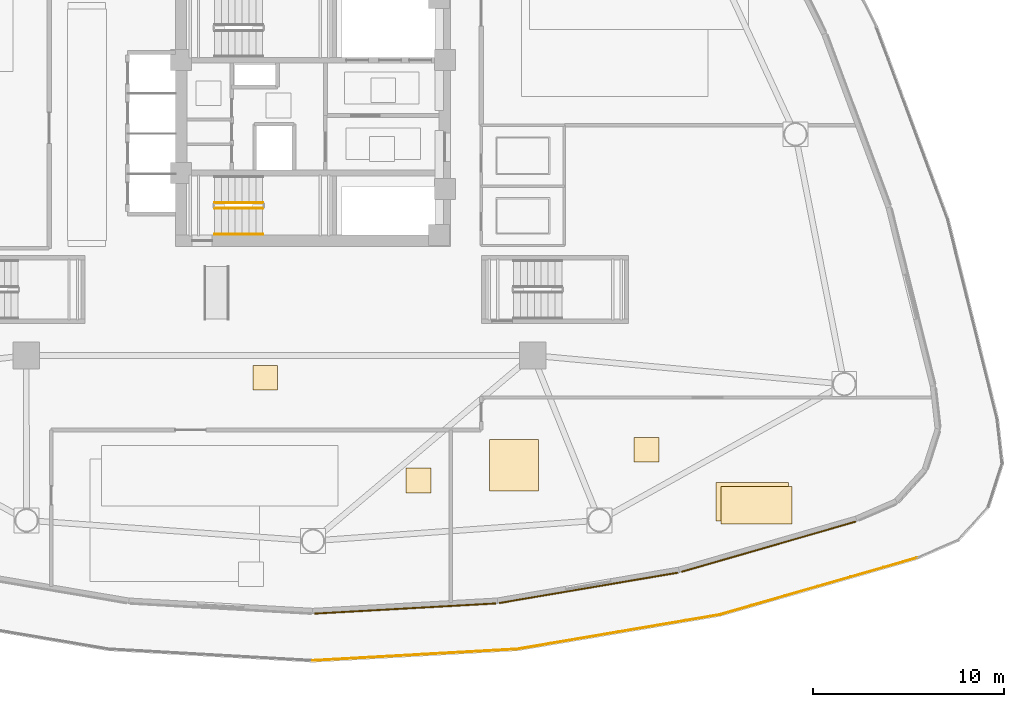
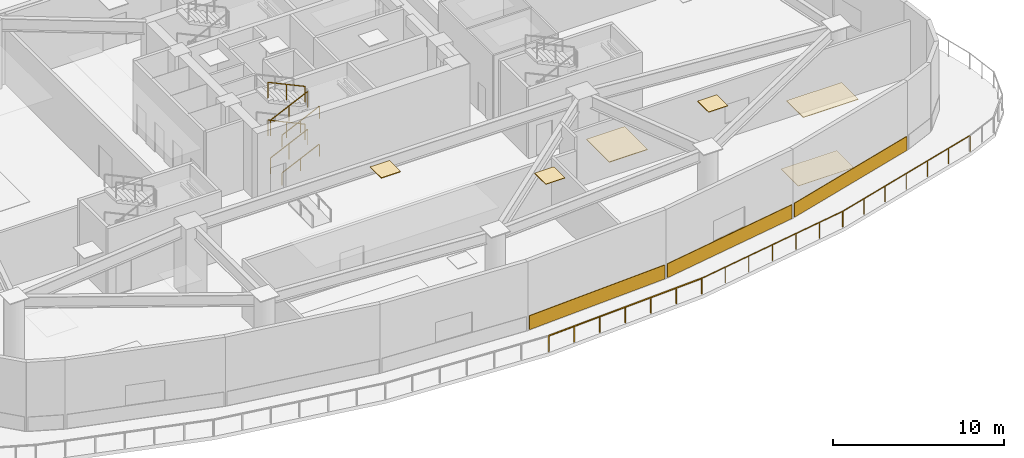
# One storey, part 9 of 13: 9 coverings, 9 railings.
"""IFC4 building model written with IfcOpenShell, lengths in metres."""

from ifc_helpers import new_model, si_unit, direction, frame, origin, origin_2d, place, context, subcontext, project, spatial, polyline, rectangle, outline, extrude, material, layer, layer_set, type_object, element, save


model = new_model("IFC4")

# Units and contexts
model_context = context("Model", 3, precision=1e-05, world=origin(), true_north=direction((0.0, 1.0)))
body_context = subcontext(model_context, "Body", "Model", "MODEL_VIEW")
ifc_project = project(units=[si_unit("LENGTHUNIT", "METRE"), si_unit("AREAUNIT", "SQUARE_METRE"), si_unit("VOLUMEUNIT", "CUBIC_METRE"), si_unit("PLANEANGLEUNIT", "RADIAN"), si_unit("MASSUNIT", "GRAM", prefix="KILO")], contexts=[model_context])

# Site, building, storey
site_placement = place(None, origin())
site = spatial("IfcSite", under=ifc_project, at=site_placement, CompositionType="ELEMENT")
building_placement = place(site_placement, origin())
building = spatial("IfcBuilding", under=site, at=building_placement, Name="Tavelor Broadcast Tower", CompositionType="ELEMENT")
storey_placement = place(building_placement, frame((0.0, 0.0, 16.800048828125)))
storey = spatial("IfcBuildingStorey", under=building, at=storey_placement, Name="L03", CompositionType="ELEMENT", Elevation=16.800048828125)

# Covering
ifc_material_1 = material(Name="Copper-Bronze Anodized Aluminium", Category="aluminium")
ifc_layer_1 = layer(ifc_material_1, 0.044921875)
ifc_layer_set_1 = layer_set([ifc_layer_1], Name="Copper-Bronze Anodized Aluminium")
covering_type_1 = type_object("IfcCoveringType", Name="Anodised Bronze Linear Slatted Concourse Ceiling 45 mm", PredefinedType="CEILING", material=ifc_layer_set_1)
covering_1_placement = place(storey_placement, frame((0.0, 0.0, 4.905029296875)))
element("IfcCovering", 1, at=covering_1_placement, inside=storey, type_object=covering_type_1, Name="L03 Suspended Acoustic Ceiling 0084", PredefinedType="CEILING", context=body_context, shape_type="SweptSolid", body=[
    extrude(outline(polyline([(46.85009765625, 30.683837890625), (48.14990234375, 30.683837890625), (48.14990234375, 31.98388671875), (46.85009765625, 31.98388671875), (46.85009765625, 30.683837890625)])), origin(), (0.0, 0.0, 1.0), 0.044921875),
])

# Railings
ifc_material_2 = material(Name="Steel S355", Category="steel")
railing_type_1 = type_object("IfcRailingType", Name="Continuous Brushed Stainless Handrail 900 mm", PredefinedType="HANDRAIL", material=ifc_material_2)
railing_1_placement = place(storey_placement, frame((44.85009765625, 38.85009765625, 0.168701171875)))
element("IfcRailing", 2, at=railing_1_placement, inside=storey, type_object=railing_type_1, Name="L03 ST2 stair handrail 1", PredefinedType="HANDRAIL", context=body_context, shape_type="SweptSolid", body=[
    extrude(rectangle(XDim=0.048095703125, YDim=0.048095703125, at=origin_2d()), frame((0.0, 0.0, 0.8759765625), z_axis=(0.905473684625, 0.0, 0.424402410988), x_axis=(0.0, 1.0, 0.0)), (0.0, 0.0, 1.0), 2.783203125),
    extrude(rectangle(XDim=0.0419921875, YDim=0.0419921875, at=origin_2d()), origin(), (0.0, 0.0, 1.0), 0.851806640625),
    extrude(rectangle(XDim=0.0419921875, YDim=0.0419921875, at=origin_2d()), frame((1.260009765625, 0.0, 0.590576171875)), (0.0, 0.0, 1.0), 0.851806640625),
    extrude(rectangle(XDim=0.0419921875, YDim=0.0419921875, at=origin_2d()), frame((2.52001953125, 0.0, 1.18115234375)), (0.0, 0.0, 1.0), 0.851806640625),
])
railing_2_placement = place(storey_placement, frame((44.85009765625, 38.85009765625, 2.86865234375)))
element("IfcRailing", 3, at=railing_2_placement, inside=storey, type_object=railing_type_1, Name="L03 ST2 stair handrail 3", PredefinedType="HANDRAIL", context=body_context, shape_type="SweptSolid", body=[
    extrude(rectangle(XDim=0.048095703125, YDim=0.048095703125, at=origin_2d()), frame((0.0, 0.0, 0.8759765625), z_axis=(0.905439972488, 0.0, 0.424474329284), x_axis=(0.0, 1.0, 0.0)), (0.0, 0.0, 1.0), 2.783203125),
    extrude(rectangle(XDim=0.0419921875, YDim=0.0419921875, at=origin_2d()), origin(), (0.0, 0.0, 1.0), 0.851806640625),
    extrude(rectangle(XDim=0.0419921875, YDim=0.0419921875, at=origin_2d()), frame((1.260009765625, 0.0, 0.5908203125)), (0.0, 0.0, 1.0), 0.851806640625),
    extrude(rectangle(XDim=0.0419921875, YDim=0.0419921875, at=origin_2d()), frame((2.52001953125, 0.0, 1.181396484375)), (0.0, 0.0, 1.0), 0.851806640625),
])

# Covering
ifc_material_3 = material(Name="Acoustic Nylon Carpet Tile")
ifc_layer_2 = layer(ifc_material_3, 0.02001953125)
ifc_layer_set_2 = layer_set([ifc_layer_2], Name="Acoustic Nylon Carpet Tile")
covering_type_2 = type_object("IfcCoveringType", Name="Heavy-Duty Acoustic Broadcast Carpet Tile 20 mm", PredefinedType="FLOORING", material=ifc_layer_set_2)
covering_2_placement = place(storey_placement, origin())
element("IfcCovering", 4, at=covering_2_placement, inside=storey, type_object=covering_type_2, Name="L03 Broadcast Floor Finish 0038", PredefinedType="FLOORING", context=body_context, shape_type="SweptSolid", body=[
    extrude(outline(polyline([(71.093994140625, 23.843505859375), (74.870361328125, 23.843505859375), (74.870361328125, 25.85791015625), (71.093994140625, 25.85791015625), (71.093994140625, 23.843505859375)])), origin(), (0.0, 0.0, 1.0), 0.02001953125),
])

# Railings
railing_type_2 = type_object("IfcRailingType", Name="Planted Terrace Laminated Glass Balustrade 1150 mm", PredefinedType="BALUSTRADE", material=ifc_material_2)
railing_3_placement = place(storey_placement, frame((49.994384765625, 16.538330078125, 0.0)))
element("IfcRailing", 5, at=railing_3_placement, inside=storey, type_object=railing_type_2, Name="L03 Cascading Garden Terrace 1 Balustrade #81", PredefinedType="BALUSTRADE", context=body_context, shape_type="SweptSolid", body=[
    extrude(rectangle(XDim=0.048095703125, YDim=0.048095703125, at=origin_2d()), frame((0.0, 0.0, 1.1259765625), z_axis=(0.998424310756, 0.056115021976, 0.0), x_axis=(-0.056115021976, 0.998424310756, 0.0)), (0.0, 0.0, 1.0), 10.733154296875),
    extrude(rectangle(XDim=0.0419921875, YDim=0.0419921875, at=origin_2d()), origin(), (0.0, 0.0, 1.0), 1.101806640625),
    extrude(rectangle(XDim=0.0419921875, YDim=0.0419921875, at=origin_2d()), frame((1.7861328125, 0.100341796875, 0.0)), (0.0, 0.0, 1.0), 1.101806640625),
    extrude(rectangle(XDim=0.0419921875, YDim=0.0419921875, at=origin_2d()), frame((3.572021484375, 0.20068359375, 0.0)), (0.0, 0.0, 1.0), 1.101806640625),
    extrude(rectangle(XDim=0.0419921875, YDim=0.0419921875, at=origin_2d()), frame((5.358154296875, 0.30126953125, 0.0)), (0.0, 0.0, 1.0), 1.101806640625),
    extrude(rectangle(XDim=0.0419921875, YDim=0.0419921875, at=origin_2d()), frame((7.144287109375, 0.401611328125, 0.0)), (0.0, 0.0, 1.0), 1.101806640625),
    extrude(rectangle(XDim=0.0419921875, YDim=0.0419921875, at=origin_2d()), frame((8.93017578125, 0.501953125, 0.0)), (0.0, 0.0, 1.0), 1.101806640625),
    extrude(rectangle(XDim=0.0419921875, YDim=0.0419921875, at=origin_2d()), frame((10.71630859375, 0.602294921875, 0.0)), (0.0, 0.0, 1.0), 1.101806640625),
])
railing_4_placement = place(storey_placement, frame((60.699462890625, 17.139404296875, 0.0)))
element("IfcRailing", 6, at=railing_4_placement, inside=storey, type_object=railing_type_2, Name="L03 Cascading Garden Terrace 1 Balustrade #82", PredefinedType="BALUSTRADE", context=body_context, shape_type="SweptSolid", body=[
    extrude(rectangle(XDim=0.048095703125, YDim=0.048095703125, at=origin_2d()), frame((0.0, 0.0, 1.1259765625), z_axis=(0.985855733921, 0.167596157161, 0.0), x_axis=(-0.167596157161, 0.985855733921, 0.0)), (0.0, 0.0, 1.0), 10.733154296875),
    extrude(rectangle(XDim=0.0419921875, YDim=0.0419921875, at=origin_2d()), origin(), (0.0, 0.0, 1.0), 1.101806640625),
    extrude(rectangle(XDim=0.0419921875, YDim=0.0419921875, at=origin_2d()), frame((1.763671875, 0.2998046875, 0.0)), (0.0, 0.0, 1.0), 1.101806640625),
    extrude(rectangle(XDim=0.0419921875, YDim=0.0419921875, at=origin_2d()), frame((3.527099609375, 0.599609375, 0.0)), (0.0, 0.0, 1.0), 1.101806640625),
    extrude(rectangle(XDim=0.0419921875, YDim=0.0419921875, at=origin_2d()), frame((5.29052734375, 0.8994140625, 0.0)), (0.0, 0.0, 1.0), 1.101806640625),
    extrude(rectangle(XDim=0.0419921875, YDim=0.0419921875, at=origin_2d()), frame((7.05419921875, 1.19921875, 0.0)), (0.0, 0.0, 1.0), 1.101806640625),
    extrude(rectangle(XDim=0.0419921875, YDim=0.0419921875, at=origin_2d()), frame((8.81787109375, 1.4990234375, 0.0)), (0.0, 0.0, 1.0), 1.101806640625),
    extrude(rectangle(XDim=0.0419921875, YDim=0.0419921875, at=origin_2d()), frame((10.581298828125, 1.798828125, 0.0)), (0.0, 0.0, 1.0), 1.101806640625),
])
railing_5_placement = place(storey_placement, frame((71.269775390625, 18.935791015625, 0.0)))
element("IfcRailing", 7, at=railing_5_placement, inside=storey, type_object=railing_type_2, Name="L03 Cascading Garden Terrace 1 Balustrade #83", PredefinedType="BALUSTRADE", context=body_context, shape_type="SweptSolid", body=[
    extrude(rectangle(XDim=0.048095703125, YDim=0.048095703125, at=origin_2d()), frame((0.0, 0.0, 1.1259765625), z_axis=(0.960874946218, 0.276982558533, 0.0), x_axis=(-0.276982558533, 0.960874946218, 0.0)), (0.0, 0.0, 1.0), 10.733154296875),
    extrude(rectangle(XDim=0.0419921875, YDim=0.0419921875, at=origin_2d()), origin(), (0.0, 0.0, 1.0), 1.101806640625),
    extrude(rectangle(XDim=0.0419921875, YDim=0.0419921875, at=origin_2d()), frame((1.71875, 0.49560546875, 0.0)), (0.0, 0.0, 1.0), 1.101806640625),
    extrude(rectangle(XDim=0.0419921875, YDim=0.0419921875, at=origin_2d()), frame((3.437744140625, 0.990966796875, 0.0)), (0.0, 0.0, 1.0), 1.101806640625),
    extrude(rectangle(XDim=0.0419921875, YDim=0.0419921875, at=origin_2d()), frame((5.15673828125, 1.486328125, 0.0)), (0.0, 0.0, 1.0), 1.101806640625),
    extrude(rectangle(XDim=0.0419921875, YDim=0.0419921875, at=origin_2d()), frame((6.87548828125, 1.98193359375, 0.0)), (0.0, 0.0, 1.0), 1.101806640625),
    extrude(rectangle(XDim=0.0419921875, YDim=0.0419921875, at=origin_2d()), frame((8.59423828125, 2.4775390625, 0.0)), (0.0, 0.0, 1.0), 1.101806640625),
    extrude(rectangle(XDim=0.0419921875, YDim=0.0419921875, at=origin_2d()), frame((10.313232421875, 2.972900390625, 0.0)), (0.0, 0.0, 1.0), 1.101806640625),
])

# Coverings
ifc_material_4 = material(Name="Kiln-Fired Glazed Terracotta", Category="masonry")
ifc_layer_3 = layer(ifc_material_4, 0.06494140625)
ifc_layer_set_3 = layer_set([ifc_layer_3], Name="Kiln-Fired Glazed Terracotta")
covering_type_3 = type_object("IfcCoveringType", Name="Ribbed Terracotta Rainscreen Spandrel Cladding 65 mm", PredefinedType="CLADDING", material=ifc_layer_set_3)
for number, where, z_axis, x_axis, name in (
    (8, (54.82861328125, 19.260986328125, 0.050048828125), (0.0, 0.0, 1.0), (0.998421217973, 0.05617002316, 0.0), "L03 Terracotta Spandrel Rainscreen 18"),
    (9, (64.425048828125, 20.343017578125, 0.050048828125), (0.0, 0.0, 1.0), (0.985850128464, 0.167629126969, 0.0), "L03 Terracotta Spandrel Rainscreen 19"),
    (10, (73.83984375, 22.492919921875, 0.050048828125), (0.0, 0.0, 1.0), (0.960875896697, 0.276979261222, 0.0), "L03 Terracotta Spandrel Rainscreen 20"),
):
    element("IfcCovering", number, at=place(storey_placement, frame(where, z_axis=z_axis, x_axis=x_axis)), inside=storey, type_object=covering_type_3, Name=name, PredefinedType="CLADDING", context=body_context, shape_type="SweptSolid", body=[
        extrude(rectangle(XDim=9.472412109375, YDim=0.06494140625, at=origin_2d()), origin(), (0.0, 0.0, 1.0), 1.0),
    ])

# Railings
railing_type_3 = type_object("IfcRailingType", Name="Stairwell Steel Safety Guardrail 1150 mm", PredefinedType="GUARDRAIL", material=ifc_material_2)
railing_6_placement = place(storey_placement, frame((44.85009765625, 40.199951171875, 0.168701171875)))
element("IfcRailing", 11, at=railing_6_placement, inside=storey, type_object=railing_type_3, Name="L03 ST2 stair guard 1", PredefinedType="GUARDRAIL", context=body_context, shape_type="SweptSolid", body=[
    extrude(rectangle(XDim=0.048095703125, YDim=0.048095703125, at=origin_2d()), frame((0.0, 0.0, 1.1259765625), z_axis=(0.905473684625, 0.0, 0.424402410988), x_axis=(0.0, 1.0, 0.0)), (0.0, 0.0, 1.0), 2.783203125),
    extrude(rectangle(XDim=0.0419921875, YDim=0.0419921875, at=origin_2d()), origin(), (0.0, 0.0, 1.0), 1.101806640625),
    extrude(rectangle(XDim=0.0419921875, YDim=0.0419921875, at=origin_2d()), frame((1.260009765625, 0.0, 0.590576171875)), (0.0, 0.0, 1.0), 1.101806640625),
    extrude(rectangle(XDim=0.0419921875, YDim=0.0419921875, at=origin_2d()), frame((2.52001953125, 0.0, 1.18115234375)), (0.0, 0.0, 1.0), 1.101806640625),
])
railing_7_placement = place(storey_placement, frame((47.3701171875, 40.5, 1.518798828125)))
element("IfcRailing", 12, at=railing_7_placement, inside=storey, type_object=railing_type_3, Name="L03 ST2 stair guard 3", PredefinedType="GUARDRAIL", context=body_context, shape_type="SweptSolid", body=[
    extrude(rectangle(XDim=0.048095703125, YDim=0.048095703125, at=origin_2d()), frame((0.0, 0.0, 1.1259765625), z_axis=(-0.905473684625, 0.0, 0.424402410988), x_axis=(0.0, -1.0, 0.0)), (0.0, 0.0, 1.0), 2.783203125),
    extrude(rectangle(XDim=0.0419921875, YDim=0.0419921875, at=origin_2d()), origin(), (0.0, 0.0, 1.0), 1.101806640625),
    extrude(rectangle(XDim=0.0419921875, YDim=0.0419921875, at=origin_2d()), frame((-1.260009765625, 0.0, 0.590576171875)), (0.0, 0.0, 1.0), 1.101806640625),
    extrude(rectangle(XDim=0.0419921875, YDim=0.0419921875, at=origin_2d()), frame((-2.52001953125, 0.0, 1.18115234375)), (0.0, 0.0, 1.0), 1.101806640625),
])
railing_8_placement = place(storey_placement, frame((44.85009765625, 40.199951171875, 2.86865234375)))
element("IfcRailing", 13, at=railing_8_placement, inside=storey, type_object=railing_type_3, Name="L03 ST2 stair guard 5", PredefinedType="GUARDRAIL", context=body_context, shape_type="SweptSolid", body=[
    extrude(rectangle(XDim=0.048095703125, YDim=0.048095703125, at=origin_2d()), frame((0.0, 0.0, 1.1259765625), z_axis=(0.905439972488, 0.0, 0.424474329284), x_axis=(0.0, 1.0, 0.0)), (0.0, 0.0, 1.0), 2.783203125),
    extrude(rectangle(XDim=0.0419921875, YDim=0.0419921875, at=origin_2d()), origin(), (0.0, 0.0, 1.0), 1.101806640625),
    extrude(rectangle(XDim=0.0419921875, YDim=0.0419921875, at=origin_2d()), frame((1.260009765625, 0.0, 0.5908203125)), (0.0, 0.0, 1.0), 1.101806640625),
    extrude(rectangle(XDim=0.0419921875, YDim=0.0419921875, at=origin_2d()), frame((2.52001953125, 0.0, 1.181396484375)), (0.0, 0.0, 1.0), 1.101806640625),
])
railing_9_placement = place(storey_placement, frame((47.3701171875, 40.5, 4.21875)))
element("IfcRailing", 14, at=railing_9_placement, inside=storey, type_object=railing_type_3, Name="L03 ST2 stair guard 7", PredefinedType="GUARDRAIL", context=body_context, shape_type="SweptSolid", body=[
    extrude(rectangle(XDim=0.048095703125, YDim=0.048095703125, at=origin_2d()), frame((0.0, 0.0, 1.1259765625), z_axis=(-0.905473684625, 0.0, 0.424402410988), x_axis=(0.0, -1.0, 0.0)), (0.0, 0.0, 1.0), 2.783203125),
    extrude(rectangle(XDim=0.0419921875, YDim=0.0419921875, at=origin_2d()), origin(), (0.0, 0.0, 1.0), 1.101806640625),
    extrude(rectangle(XDim=0.0419921875, YDim=0.0419921875, at=origin_2d()), frame((-1.260009765625, 0.0, 0.590576171875)), (0.0, 0.0, 1.0), 1.101806640625),
    extrude(rectangle(XDim=0.0419921875, YDim=0.0419921875, at=origin_2d()), frame((-2.52001953125, 0.0, 1.18115234375)), (0.0, 0.0, 1.0), 1.101806640625),
])

# Coverings
ifc_material_5 = material(Name="Acoustic Mineral Fibre Tile")
ifc_layer_4 = layer(ifc_material_5, 0.0400390625)
ifc_layer_set_4 = layer_set([ifc_layer_4], Name="Acoustic Mineral Fibre Tile")
covering_type_4 = type_object("IfcCoveringType", Name="Suspended Acoustic Mineral-Fibre Office Ceiling 40 mm", PredefinedType="CEILING", material=ifc_layer_set_4)
covering_3_placement = place(storey_placement, frame((0.0, 0.0, 4.909912109375)))
element("IfcCovering", 15, at=covering_3_placement, inside=storey, type_object=covering_type_4, Name="L03 Suspended Acoustic Ceiling 0087", PredefinedType="CEILING", context=body_context, shape_type="SweptSolid", body=[
    extrude(outline(polyline([(54.864990234375, 25.309814453125), (56.1650390625, 25.309814453125), (56.1650390625, 26.60986328125), (54.864990234375, 26.60986328125), (54.864990234375, 25.309814453125)])), origin(), (0.0, 0.0, 1.0), 0.0400390625),
])
covering_4_placement = place(storey_placement, frame((0.0, 0.0, 4.909912109375)))
element("IfcCovering", 16, at=covering_4_placement, inside=storey, type_object=covering_type_4, Name="L03 Suspended Acoustic Ceiling 0091", PredefinedType="CEILING", context=body_context, shape_type="SweptSolid", body=[
    extrude(outline(polyline([(71.343994140625, 23.67236328125), (75.064453125, 23.67236328125), (75.064453125, 25.643310546875), (71.343994140625, 25.643310546875), (71.343994140625, 23.67236328125)])), origin(), (0.0, 0.0, 1.0), 0.0400390625),
])
covering_5_placement = place(storey_placement, frame((0.0, 0.0, 4.909912109375)))
element("IfcCovering", 17, at=covering_5_placement, inside=storey, type_object=covering_type_4, Name="L03 Suspended Acoustic Ceiling 0092", PredefinedType="CEILING", context=body_context, shape_type="SweptSolid", body=[
    extrude(outline(polyline([(59.227294921875, 25.402587890625), (61.8125, 25.402587890625), (61.8125, 28.096923828125), (59.227294921875, 28.096923828125), (59.227294921875, 25.402587890625)])), origin(), (0.0, 0.0, 1.0), 0.0400390625),
])
covering_6_placement = place(storey_placement, frame((0.0, 0.0, 4.909912109375)))
element("IfcCovering", 18, at=covering_6_placement, inside=storey, type_object=covering_type_4, Name="L03 Suspended Acoustic Ceiling 0093", PredefinedType="CEILING", context=body_context, shape_type="SweptSolid", body=[
    extrude(outline(polyline([(66.80810546875, 26.914794921875), (68.10791015625, 26.914794921875), (68.10791015625, 28.21484375), (66.80810546875, 28.21484375), (66.80810546875, 26.914794921875)])), origin(), (0.0, 0.0, 1.0), 0.0400390625),
])

save(model, "model.ifc")
